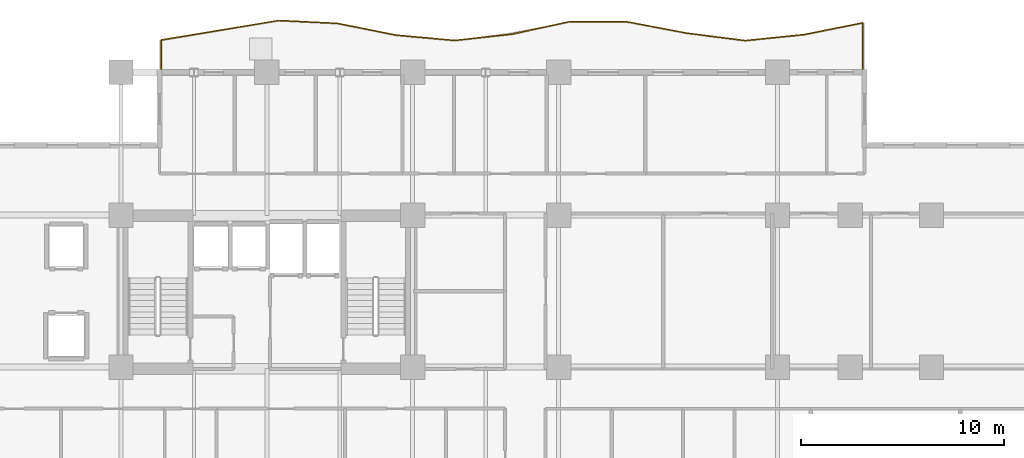
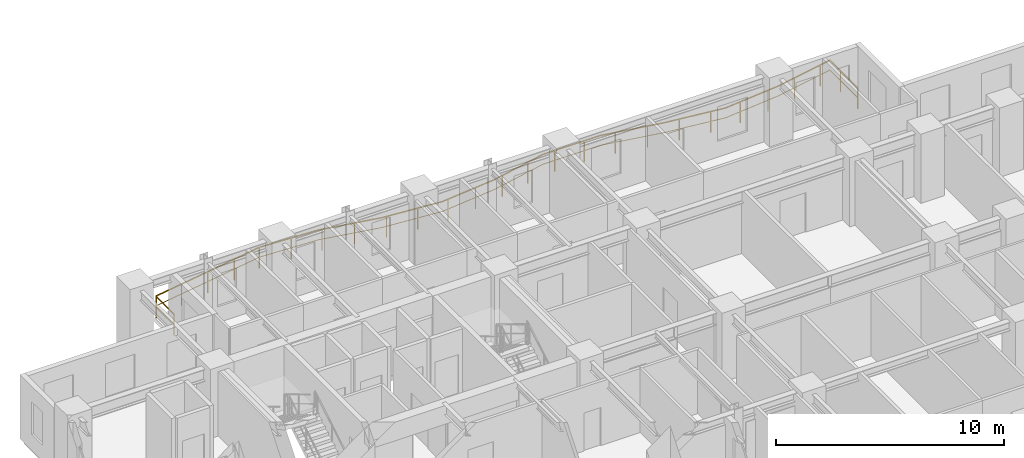
# One storey, part 11 of 11: 1 railing.
"""IFC4 building model written with IfcOpenShell, lengths in metres."""

from ifc_helpers import new_model, si_unit, direction, frame, origin, origin_2d, place, context, subcontext, project, spatial, rectangle, extrude, material, type_object, element, save


model = new_model("IFC4")

# Units and contexts
model_context = context("Model", 3, precision=1e-05, world=origin(), true_north=direction((0.0, 1.0)))
body_context = subcontext(model_context, "Body", "Model", "MODEL_VIEW")
ifc_project = project(units=[si_unit("LENGTHUNIT", "METRE"), si_unit("AREAUNIT", "SQUARE_METRE"), si_unit("VOLUMEUNIT", "CUBIC_METRE"), si_unit("PLANEANGLEUNIT", "RADIAN"), si_unit("MASSUNIT", "GRAM", prefix="KILO")], contexts=[model_context])

# Site, building, storey
site_placement = place(None, origin())
site = spatial("IfcSite", under=ifc_project, at=site_placement, CompositionType="ELEMENT")
building_placement = place(site_placement, origin())
building = spatial("IfcBuilding", under=site, at=building_placement, Name="Kaliganga Portal Commons", CompositionType="ELEMENT")
storey_placement = place(building_placement, frame((0.0, 0.0, 119.300048828125)))
storey = spatial("IfcBuildingStorey", under=building, at=storey_placement, Name="L30", CompositionType="ELEMENT", Elevation=119.300048828125)

# Railing
ifc_material = material(Name="Laminated Safety Glass and Stainless Steel 316", Category="steel")
railing_type = type_object("IfcRailingType", Name="RLG-BAL-1150", PredefinedType="BALUSTRADE", material=ifc_material)
railing_placement = place(storey_placement, frame((51.0205078125, 43.208251953125, 0.0)))
element("IfcRailing", 1, at=railing_placement, inside=storey, type_object=railing_type, Name="Balcony Guardrail L30 balc_north", PredefinedType="BALUSTRADE", context=body_context, shape_type="SweptSolid", body=[
    extrude(rectangle(XDim=0.048095703125, YDim=0.048095703125, at=origin_2d()), frame((0.0, 0.0, 1.1259765625), z_axis=(-0.000200340575, 0.999999979932, 0.0), x_axis=(-0.999999979932, -0.000200340575, 0.0)), (0.0, 0.0, 1.0), 2.437255859375),
    extrude(rectangle(XDim=0.028076171875, YDim=0.028076171875, at=origin_2d()), frame((0.0, 0.0, 0.597900390625), z_axis=(-0.000200340575, 0.999999979932, 0.0), x_axis=(-0.999999979932, -0.000200340575, 0.0)), (0.0, 0.0, 1.0), 2.437255859375),
    extrude(rectangle(XDim=0.048095703125, YDim=0.048095703125, at=origin_2d()), frame((-0.00048828125, 2.437255859375, 1.1259765625), z_axis=(-0.980637790393, -0.195830345076, 0.0), x_axis=(0.195830345076, -0.980637790393, 0.0)), (0.0, 0.0, 1.0), 2.957275390625),
    extrude(rectangle(XDim=0.028076171875, YDim=0.028076171875, at=origin_2d()), frame((-0.00048828125, 2.437255859375, 0.597900390625), z_axis=(-0.980637790393, -0.195830345076, 0.0), x_axis=(0.195830345076, -0.980637790393, 0.0)), (0.0, 0.0, 1.0), 2.957275390625),
    extrude(rectangle(XDim=0.048095703125, YDim=0.048095703125, at=origin_2d()), frame((-2.900390625, 1.858154296875, 1.1259765625), z_axis=(-0.994733384631, -0.102496309688, 0.0), x_axis=(0.102496309688, -0.994733384631, 0.0)), (0.0, 0.0, 1.0), 2.91552734375),
    extrude(rectangle(XDim=0.028076171875, YDim=0.028076171875, at=origin_2d()), frame((-2.900390625, 1.858154296875, 0.597900390625), z_axis=(-0.994733384631, -0.102496309688, 0.0), x_axis=(0.102496309688, -0.994733384631, 0.0)), (0.0, 0.0, 1.0), 2.91552734375),
    extrude(rectangle(XDim=0.048095703125, YDim=0.048095703125, at=origin_2d()), frame((-5.800537109375, 1.559326171875, 1.1259765625), z_axis=(-0.99199524901, 0.126275199234, 0.0), x_axis=(-0.126275199234, -0.99199524901, 0.0)), (0.0, 0.0, 1.0), 2.92333984375),
    extrude(rectangle(XDim=0.028076171875, YDim=0.028076171875, at=origin_2d()), frame((-5.800537109375, 1.559326171875, 0.597900390625), z_axis=(-0.99199524901, 0.126275199234, 0.0), x_axis=(-0.126275199234, -0.99199524901, 0.0)), (0.0, 0.0, 1.0), 2.92333984375),
    extrude(rectangle(XDim=0.048095703125, YDim=0.048095703125, at=origin_2d()), frame((-8.700439453125, 1.928466796875, 1.1259765625), z_axis=(-0.982385597195, 0.186865027287, 0.0), x_axis=(-0.186865027287, -0.982385597195, 0.0)), (0.0, 0.0, 1.0), 2.951416015625),
    extrude(rectangle(XDim=0.028076171875, YDim=0.028076171875, at=origin_2d()), frame((-8.700439453125, 1.928466796875, 0.597900390625), z_axis=(-0.982385597195, 0.186865027287, 0.0), x_axis=(-0.186865027287, -0.982385597195, 0.0)), (0.0, 0.0, 1.0), 2.951416015625),
    extrude(rectangle(XDim=0.048095703125, YDim=0.048095703125, at=origin_2d()), frame((-11.599853515625, 2.47998046875, 1.1259765625), z_axis=(-0.999995401699, 0.00303258651, 0.0), x_axis=(-0.00303258651, -0.999995401699, 0.0)), (0.0, 0.0, 1.0), 2.898193359375),
    extrude(rectangle(XDim=0.028076171875, YDim=0.028076171875, at=origin_2d()), frame((-11.599853515625, 2.47998046875, 0.597900390625), z_axis=(-0.999995401699, 0.00303258651, 0.0), x_axis=(-0.00303258651, -0.999995401699, 0.0)), (0.0, 0.0, 1.0), 2.898193359375),
    extrude(rectangle(XDim=0.048095703125, YDim=0.048095703125, at=origin_2d()), frame((-14.498046875, 2.48876953125, 1.1259765625), z_axis=(-0.977600254029, -0.210470290829, 0.0), x_axis=(0.210470290829, -0.977600254029, 0.0)), (0.0, 0.0, 1.0), 2.88720703125),
    extrude(rectangle(XDim=0.028076171875, YDim=0.028076171875, at=origin_2d()), frame((-14.498046875, 2.48876953125, 0.597900390625), z_axis=(-0.977600254029, -0.210470290829, 0.0), x_axis=(0.210470290829, -0.977600254029, 0.0)), (0.0, 0.0, 1.0), 2.88720703125),
    extrude(rectangle(XDim=0.048095703125, YDim=0.048095703125, at=origin_2d()), frame((-17.320556640625, 1.881103515625, 1.1259765625), z_axis=(-0.993869035814, -0.110563735696, 0.0), x_axis=(0.110563735696, -0.993869035814, 0.0)), (0.0, 0.0, 1.0), 2.83740234375),
    extrude(rectangle(XDim=0.028076171875, YDim=0.028076171875, at=origin_2d()), frame((-17.320556640625, 1.881103515625, 0.597900390625), z_axis=(-0.993869035814, -0.110563735696, 0.0), x_axis=(0.110563735696, -0.993869035814, 0.0)), (0.0, 0.0, 1.0), 2.83740234375),
    extrude(rectangle(XDim=0.048095703125, YDim=0.048095703125, at=origin_2d()), frame((-20.140625, 1.5673828125, 1.1259765625), z_axis=(-0.995959603375, 0.089802385521, 0.0), x_axis=(-0.089802385521, -0.995959603375, 0.0)), (0.0, 0.0, 1.0), 2.91162109375),
    extrude(rectangle(XDim=0.028076171875, YDim=0.028076171875, at=origin_2d()), frame((-20.140625, 1.5673828125, 0.597900390625), z_axis=(-0.995959603375, 0.089802385521, 0.0), x_axis=(-0.089802385521, -0.995959603375, 0.0)), (0.0, 0.0, 1.0), 2.91162109375),
    extrude(rectangle(XDim=0.048095703125, YDim=0.048095703125, at=origin_2d()), frame((-23.04052734375, 1.828857421875, 1.1259765625), z_axis=(-0.980466226127, 0.196687517204, 0.0), x_axis=(-0.196687517204, -0.980466226127, 0.0)), (0.0, 0.0, 1.0), 2.9580078125),
    extrude(rectangle(XDim=0.028076171875, YDim=0.028076171875, at=origin_2d()), frame((-23.04052734375, 1.828857421875, 0.597900390625), z_axis=(-0.980466226127, 0.196687517204, 0.0), x_axis=(-0.196687517204, -0.980466226127, 0.0)), (0.0, 0.0, 1.0), 2.9580078125),
    extrude(rectangle(XDim=0.048095703125, YDim=0.048095703125, at=origin_2d()), frame((-25.940673828125, 2.41064453125, 1.1259765625), z_axis=(-0.998814246588, 0.048683681183, 0.0), x_axis=(-0.048683681183, -0.998814246588, 0.0)), (0.0, 0.0, 1.0), 2.903564453125),
    extrude(rectangle(XDim=0.028076171875, YDim=0.028076171875, at=origin_2d()), frame((-25.940673828125, 2.41064453125, 0.597900390625), z_axis=(-0.998814246588, 0.048683681183, 0.0), x_axis=(-0.048683681183, -0.998814246588, 0.0)), (0.0, 0.0, 1.0), 2.903564453125),
    extrude(rectangle(XDim=0.048095703125, YDim=0.048095703125, at=origin_2d()), frame((-28.8408203125, 2.552001953125, 1.1259765625), z_axis=(-0.986306251802, -0.164924157285, 0.0), x_axis=(0.164924157285, -0.986306251802, 0.0)), (0.0, 0.0, 1.0), 2.93994140625),
    extrude(rectangle(XDim=0.028076171875, YDim=0.028076171875, at=origin_2d()), frame((-28.8408203125, 2.552001953125, 0.597900390625), z_axis=(-0.986306251802, -0.164924157285, 0.0), x_axis=(0.164924157285, -0.986306251802, 0.0)), (0.0, 0.0, 1.0), 2.93994140625),
    extrude(rectangle(XDim=0.048095703125, YDim=0.048095703125, at=origin_2d()), frame((-31.740478515625, 2.067138671875, 1.1259765625), z_axis=(-0.986619705689, -0.16303851185, 0.0), x_axis=(0.16303851185, -0.986619705689, 0.0)), (0.0, 0.0, 1.0), 2.939453125),
    extrude(rectangle(XDim=0.028076171875, YDim=0.028076171875, at=origin_2d()), frame((-31.740478515625, 2.067138671875, 0.597900390625), z_axis=(-0.986619705689, -0.16303851185, 0.0), x_axis=(0.16303851185, -0.986619705689, 0.0)), (0.0, 0.0, 1.0), 2.939453125),
    extrude(rectangle(XDim=0.048095703125, YDim=0.048095703125, at=origin_2d()), frame((-34.640625, 1.587890625, 1.1259765625), z_axis=(-0.000153751536, -0.99999998818, 0.0), x_axis=(0.99999998818, -0.000153751536, 0.0)), (0.0, 0.0, 1.0), 1.587890625),
    extrude(rectangle(XDim=0.028076171875, YDim=0.028076171875, at=origin_2d()), frame((-34.640625, 1.587890625, 0.597900390625), z_axis=(-0.000153751536, -0.99999998818, 0.0), x_axis=(0.99999998818, -0.000153751536, 0.0)), (0.0, 0.0, 1.0), 1.587890625),
    extrude(rectangle(XDim=0.0419921875, YDim=0.0419921875, at=origin_2d()), origin(), (0.0, 0.0, 1.0), 1.101806640625),
    extrude(rectangle(XDim=0.0419921875, YDim=0.0419921875, at=origin_2d()), frame((-0.000244140625, 1.5, 0.0)), (0.0, 0.0, 1.0), 1.101806640625),
    extrude(rectangle(XDim=0.0419921875, YDim=0.0419921875, at=origin_2d()), frame((-0.55224609375, 2.3271484375, 0.0)), (0.0, 0.0, 1.0), 1.101806640625),
    extrude(rectangle(XDim=0.0419921875, YDim=0.0419921875, at=origin_2d()), frame((-2.023193359375, 2.033203125, 0.0)), (0.0, 0.0, 1.0), 1.101806640625),
    extrude(rectangle(XDim=0.0419921875, YDim=0.0419921875, at=origin_2d()), frame((-3.502685546875, 1.796142578125, 0.0)), (0.0, 0.0, 1.0), 1.101806640625),
    extrude(rectangle(XDim=0.0419921875, YDim=0.0419921875, at=origin_2d()), frame((-4.994873046875, 1.642333984375, 0.0)), (0.0, 0.0, 1.0), 1.101806640625),
    extrude(rectangle(XDim=0.0419921875, YDim=0.0419921875, at=origin_2d()), frame((-6.485107421875, 1.646484375, 0.0)), (0.0, 0.0, 1.0), 1.101806640625),
    extrude(rectangle(XDim=0.0419921875, YDim=0.0419921875, at=origin_2d()), frame((-7.97314453125, 1.8359375, 0.0)), (0.0, 0.0, 1.0), 1.101806640625),
    extrude(rectangle(XDim=0.0419921875, YDim=0.0419921875, at=origin_2d()), frame((-9.45361328125, 2.07177734375, 0.0)), (0.0, 0.0, 1.0), 1.101806640625),
    extrude(rectangle(XDim=0.0419921875, YDim=0.0419921875, at=origin_2d()), frame((-10.92724609375, 2.35205078125, 0.0)), (0.0, 0.0, 1.0), 1.101806640625),
    extrude(rectangle(XDim=0.0419921875, YDim=0.0419921875, at=origin_2d()), frame((-12.415283203125, 2.482421875, 0.0)), (0.0, 0.0, 1.0), 1.101806640625),
    extrude(rectangle(XDim=0.0419921875, YDim=0.0419921875, at=origin_2d()), frame((-13.915283203125, 2.487060546875, 0.0)), (0.0, 0.0, 1.0), 1.101806640625),
    extrude(rectangle(XDim=0.0419921875, YDim=0.0419921875, at=origin_2d()), frame((-15.394775390625, 2.295654296875, 0.0)), (0.0, 0.0, 1.0), 1.101806640625),
    extrude(rectangle(XDim=0.0419921875, YDim=0.0419921875, at=origin_2d()), frame((-16.861083984375, 1.97998046875, 0.0)), (0.0, 0.0, 1.0), 1.101806640625),
    extrude(rectangle(XDim=0.0419921875, YDim=0.0419921875, at=origin_2d()), frame((-18.34423828125, 1.767333984375, 0.0)), (0.0, 0.0, 1.0), 1.101806640625),
    extrude(rectangle(XDim=0.0419921875, YDim=0.0419921875, at=origin_2d()), frame((-19.8349609375, 1.601318359375, 0.0)), (0.0, 0.0, 1.0), 1.101806640625),
    extrude(rectangle(XDim=0.0419921875, YDim=0.0419921875, at=origin_2d()), frame((-21.328369140625, 1.674560546875, 0.0)), (0.0, 0.0, 1.0), 1.101806640625),
    extrude(rectangle(XDim=0.0419921875, YDim=0.0419921875, at=origin_2d()), frame((-22.822265625, 1.80908203125, 0.0)), (0.0, 0.0, 1.0), 1.101806640625),
    extrude(rectangle(XDim=0.0419921875, YDim=0.0419921875, at=origin_2d()), frame((-24.29638671875, 2.080810546875, 0.0)), (0.0, 0.0, 1.0), 1.101806640625),
    extrude(rectangle(XDim=0.0419921875, YDim=0.0419921875, at=origin_2d()), frame((-25.76708984375, 2.375732421875, 0.0)), (0.0, 0.0, 1.0), 1.101806640625),
    extrude(rectangle(XDim=0.0419921875, YDim=0.0419921875, at=origin_2d()), frame((-27.261962890625, 2.47509765625, 0.0)), (0.0, 0.0, 1.0), 1.101806640625),
    extrude(rectangle(XDim=0.0419921875, YDim=0.0419921875, at=origin_2d()), frame((-28.8408203125, 2.552001953125, 0.0)), (0.0, 0.0, 1.0), 1.101806640625),
    extrude(rectangle(XDim=0.0419921875, YDim=0.0419921875, at=origin_2d()), frame((-30.24072265625, 2.31787109375, 0.0)), (0.0, 0.0, 1.0), 1.101806640625),
    extrude(rectangle(XDim=0.0419921875, YDim=0.0419921875, at=origin_2d()), frame((-31.740478515625, 2.067138671875, 0.0)), (0.0, 0.0, 1.0), 1.101806640625),
    extrude(rectangle(XDim=0.0419921875, YDim=0.0419921875, at=origin_2d()), frame((-33.2001953125, 1.825927734375, 0.0)), (0.0, 0.0, 1.0), 1.101806640625),
    extrude(rectangle(XDim=0.0419921875, YDim=0.0419921875, at=origin_2d()), frame((-34.640625, 1.5478515625, 0.0)), (0.0, 0.0, 1.0), 1.101806640625),
    extrude(rectangle(XDim=0.0419921875, YDim=0.0419921875, at=origin_2d()), frame((-34.640869140625, 0.0, 0.0)), (0.0, 0.0, 1.0), 1.101806640625),
])

save(model, "model.ifc")
